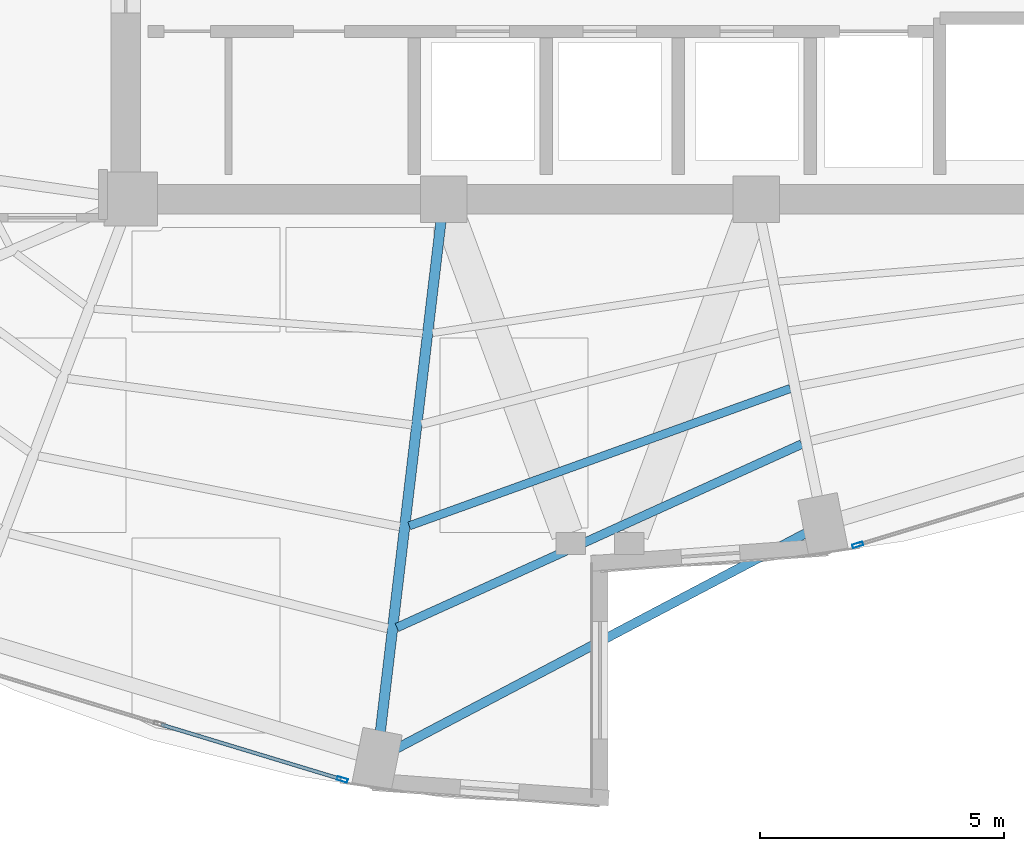
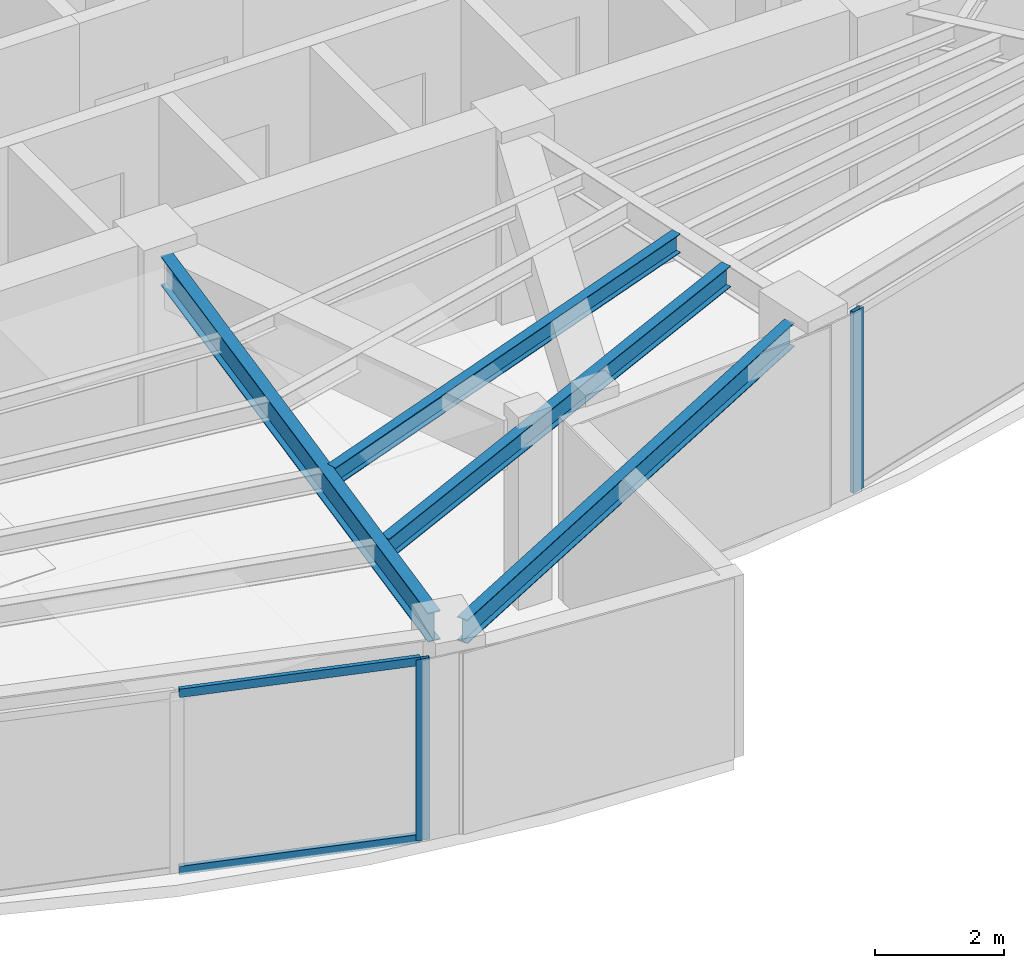
# One storey, part 4 of 20: 4 beams, 4 members, 2 elements without a shape of their own.
"""IFC4 building model written with IfcOpenShell, lengths in metres."""

from ifc_helpers import new_model, si_unit, direction, frame, origin, origin_2d, place, context, subcontext, project, spatial, hollow_rectangle, i_section, extrude, material, layer, layer_set, material_profile, profile_set, type_object, element, aggregate, save


model = new_model("IFC4")

# Units and contexts
model_context = context("Model", 3, precision=1e-05, world=origin(), true_north=direction((0.0, 1.0)))
body_context = subcontext(model_context, "Body", "Model", "MODEL_VIEW")
ifc_project = project(units=[si_unit("LENGTHUNIT", "METRE"), si_unit("AREAUNIT", "SQUARE_METRE"), si_unit("VOLUMEUNIT", "CUBIC_METRE"), si_unit("PLANEANGLEUNIT", "RADIAN"), si_unit("MASSUNIT", "GRAM", prefix="KILO")], contexts=[model_context])

# Site, building, storey
site_placement = place(None, origin())
site = spatial("IfcSite", under=ifc_project, at=site_placement, CompositionType="ELEMENT")
building_placement = place(site_placement, origin())
building = spatial("IfcBuilding", under=site, at=building_placement, Name="Lazwardi Medical Tower", CompositionType="ELEMENT")
storey_placement = place(building_placement, frame((0.0, 0.0, 182.06396484375)))
storey = spatial("IfcBuildingStorey", under=building, at=storey_placement, Name="L47", CompositionType="ELEMENT", Elevation=182.06396484375)

# Beams
ifc_material_1 = material(Name="Steel S355", Category="steel")
ifc_material_profile_1 = material_profile(ifc_material_1, i_section(OverallWidth=0.2099609375, OverallDepth=0.550048828125, WebThickness=0.010986328125, FlangeThickness=0.01708984375, at=origin_2d()), Name="IPE 550")
ifc_profile_set_1 = profile_set([ifc_material_profile_1], Name="Steel S355")
beam_type_1 = type_object("IfcBeamType", Name="BM-RG-W2", PredefinedType="BEAM", material=ifc_profile_set_1)
beam_1_placement = place(storey_placement, frame((31.505859375, 9.50732421875, 3.153076171875), z_axis=(0.117968004211, 0.993017396616, 0.0), x_axis=(-0.993017396616, 0.117968004211, 0.0)))
element("IfcBeam", 1, at=beam_1_placement, inside=storey, type_object=beam_type_1, Name="Radial girder RG-03 R16 L47", PredefinedType="BEAM", context=body_context, shape_type="SweptSolid", body=[
    extrude(i_section(OverallWidth=0.2099609375, OverallDepth=0.550048828125, WebThickness=0.010986328125, FlangeThickness=0.01708984375, at=origin_2d()), origin(), (0.0, 0.0, 1.0), 10.50927734375),
])
ifc_material_profile_2 = material_profile(ifc_material_1, i_section(OverallWidth=0.179931640625, OverallDepth=0.39990234375, WebThickness=0.008544921875, FlangeThickness=0.013427734375, at=origin_2d()), Name="IPE 400")
ifc_profile_set_2 = profile_set([ifc_material_profile_2], Name="Steel S355")
beam_type_2 = type_object("IfcBeamType", Name="BM-SJ-01", PredefinedType="JOIST", material=ifc_profile_set_2)
beam_2_placement = place(storey_placement, frame((31.844970703125, 11.6357421875, 3.22802734375), z_axis=(0.910834000674, 0.412772846995, 0.0), x_axis=(-0.412772846995, 0.910834000674, 0.0)))
element("IfcBeam", 2, at=beam_2_placement, inside=storey, type_object=beam_type_2, Name="Secondary joist SJ-01 R1 B16 L47", PredefinedType="JOIST", context=body_context, shape_type="SweptSolid", body=[
    extrude(i_section(OverallWidth=0.179931640625, OverallDepth=0.39990234375, WebThickness=0.008544921875, FlangeThickness=0.013427734375, at=origin_2d()), origin(), (0.0, 0.0, 1.0), 9.09130859375),
])
ifc_material_profile_3 = material_profile(ifc_material_1, i_section(OverallWidth=0.169921875, OverallDepth=0.360107421875, WebThickness=0.008056640625, FlangeThickness=0.0126953125, at=origin_2d()), Name="IPE 360")
ifc_profile_set_3 = profile_set([ifc_material_profile_3], Name="Steel S355")
beam_type_3 = type_object("IfcBeamType", Name="BM-SJ-02", PredefinedType="JOIST", material=ifc_profile_set_3)
beam_3_placement = place(storey_placement, frame((32.095947265625, 13.715576171875, 3.248046875), z_axis=(0.940747993319, 0.339106492221, 0.0), x_axis=(-0.339106492221, 0.940747993319, 0.0)))
element("IfcBeam", 3, at=beam_3_placement, inside=storey, type_object=beam_type_3, Name="Secondary joist SJ-02 R2 B16 L47", PredefinedType="JOIST", context=body_context, shape_type="SweptSolid", body=[
    extrude(i_section(OverallWidth=0.169921875, OverallDepth=0.360107421875, WebThickness=0.008056640625, FlangeThickness=0.0126953125, at=origin_2d()), origin(), (0.0, 0.0, 1.0), 8.28662109375),
])
ifc_material_profile_4 = material_profile(ifc_material_1, i_section(OverallWidth=0.18994140625, OverallDepth=0.449951171875, WebThickness=0.009521484375, FlangeThickness=0.0146484375, at=origin_2d()), Name="IPE 450")
ifc_profile_set_4 = profile_set([ifc_material_profile_4], Name="Steel S355")
beam_type_4 = type_object("IfcBeamType", Name="BM-SP-01", PredefinedType="SPANDREL", material=ifc_profile_set_4)
beam_4_placement = place(storey_placement, frame((31.793701171875, 9.137451171875, 3.203125), z_axis=(0.884926578414, 0.465730556026, 0.0), x_axis=(-0.465730556026, 0.884926578414, 0.0)))
element("IfcBeam", 4, at=beam_4_placement, inside=storey, type_object=beam_type_4, Name="Spandrel beam SP-01 B16 L47", PredefinedType="SPANDREL", context=body_context, shape_type="SweptSolid", body=[
    extrude(i_section(OverallWidth=0.18994140625, OverallDepth=0.449951171875, WebThickness=0.009521484375, FlangeThickness=0.0146484375, at=origin_2d()), origin(), (0.0, 0.0, 1.0), 9.506591796875),
])

# Curtain wall, member
ifc_material_2 = material(Name="Anodised bronze aluminium and solar control glazing", Category="aluminium")
ifc_layer = layer(ifc_material_2, 0.195068359375)
ifc_layer_set = layer_set([ifc_layer], Name="Anodised bronze aluminium and solar control glazing")
curtain_wall_type = type_object("IfcCurtainWallType", Name="CW-SYS-03", PredefinedType="NOTDEFINED", material=ifc_layer_set)
curtain_wall_1_placement = place(storey_placement, origin())
curtain_wall_1 = element("IfcCurtainWall", 5, at=curtain_wall_1_placement, inside=storey, type_object=curtain_wall_type, Name="L47 Unitised bronze curtain wall CW-03", PredefinedType="NOTDEFINED")
ifc_material_3 = material(Name="Anodised bronze aluminium", Category="aluminium")
ifc_material_profile_5 = material_profile(ifc_material_3, hollow_rectangle(XDim=0.074951171875, YDim=0.219970703125, WallThickness=0.00390625, at=origin_2d()), Name="ALU-MULLION 220x75x4")
ifc_profile_set_5 = profile_set([ifc_material_profile_5], Name="Anodised bronze aluminium")
member_type_1 = type_object("IfcMemberType", Name="CW-MUL-01", PredefinedType="MULLION", material=ifc_profile_set_5)
member_1_placement = place(storey_placement, frame((41.27197265625, 13.325927734375, 0.0), z_axis=(0.0, 0.0, 1.0), x_axis=(-0.290280785441, 0.956941516292, 0.0)))
member_1 = element("IfcMember", 6, at=member_1_placement, type_object=member_type_1, Name="CW-03 mullion 1", PredefinedType="MULLION", context=body_context, shape_type="SweptSolid", body=[
    extrude(hollow_rectangle(XDim=0.074951171875, YDim=0.219970703125, WallThickness=0.00390625, at=origin_2d()), origin(), (0.0, 0.0, 1.0), 3.427978515625),
])
aggregate(curtain_wall_1, [member_1])

# Curtain wall, members
curtain_wall_2_placement = place(storey_placement, origin())
curtain_wall_2 = element("IfcCurtainWall", 7, at=curtain_wall_2_placement, inside=storey, type_object=curtain_wall_type, Name="L47 Unitised bronze curtain wall CW-03", PredefinedType="NOTDEFINED")
member_2_placement = place(storey_placement, frame((30.72802734375, 8.52587890625, 0.0), z_axis=(0.0, 0.0, 1.0), x_axis=(0.290280785441, 0.956941516292, 0.0)))
member_2 = element("IfcMember", 8, at=member_2_placement, type_object=member_type_1, Name="CW-03 mullion 3", PredefinedType="MULLION", context=body_context, shape_type="SweptSolid", body=[
    extrude(hollow_rectangle(XDim=0.074951171875, YDim=0.219970703125, WallThickness=0.00390625, at=origin_2d()), origin(), (0.0, 0.0, 1.0), 3.427978515625),
])
ifc_material_profile_6 = material_profile(ifc_material_3, hollow_rectangle(XDim=0.074951171875, YDim=0.159912109375, WallThickness=0.00390625, at=origin_2d()), Name="ALU-TRANSOM 160x75x4")
ifc_profile_set_6 = profile_set([ifc_material_profile_6], Name="Anodised bronze aluminium")
member_type_2 = type_object("IfcMemberType", Name="CW-TRN-01", PredefinedType="USERDEFINED", material=ifc_profile_set_6)
member_3_placement = place(storey_placement, frame((27.020751953125, 9.650390625, 0.03759765625), z_axis=(0.95695319357, -0.290242287264, 0.0), x_axis=(0.290242287264, 0.95695319357, 0.0)))
member_3 = element("IfcMember", 9, at=member_3_placement, type_object=member_type_2, Name="CW-03 transom 2.1", ObjectType="TRANSOM", PredefinedType="USERDEFINED", context=body_context, shape_type="SweptSolid", body=[
    extrude(hollow_rectangle(XDim=0.074951171875, YDim=0.159912109375, WallThickness=0.00390625, at=origin_2d()), origin(), (0.0, 0.0, 1.0), 3.83642578125),
])
member_4_placement = place(storey_placement, frame((27.020751953125, 9.650390625, 3.390625), z_axis=(0.95695319357, -0.290242287264, 0.0), x_axis=(0.290242287264, 0.95695319357, 0.0)))
member_4 = element("IfcMember", 10, at=member_4_placement, type_object=member_type_2, Name="CW-03 transom 2.2", ObjectType="TRANSOM", PredefinedType="USERDEFINED", context=body_context, shape_type="SweptSolid", body=[
    extrude(hollow_rectangle(XDim=0.074951171875, YDim=0.159912109375, WallThickness=0.00390625, at=origin_2d()), origin(), (0.0, 0.0, 1.0), 3.83642578125),
])
aggregate(curtain_wall_2, [member_2, member_3, member_4])

save(model, "model.ifc")
